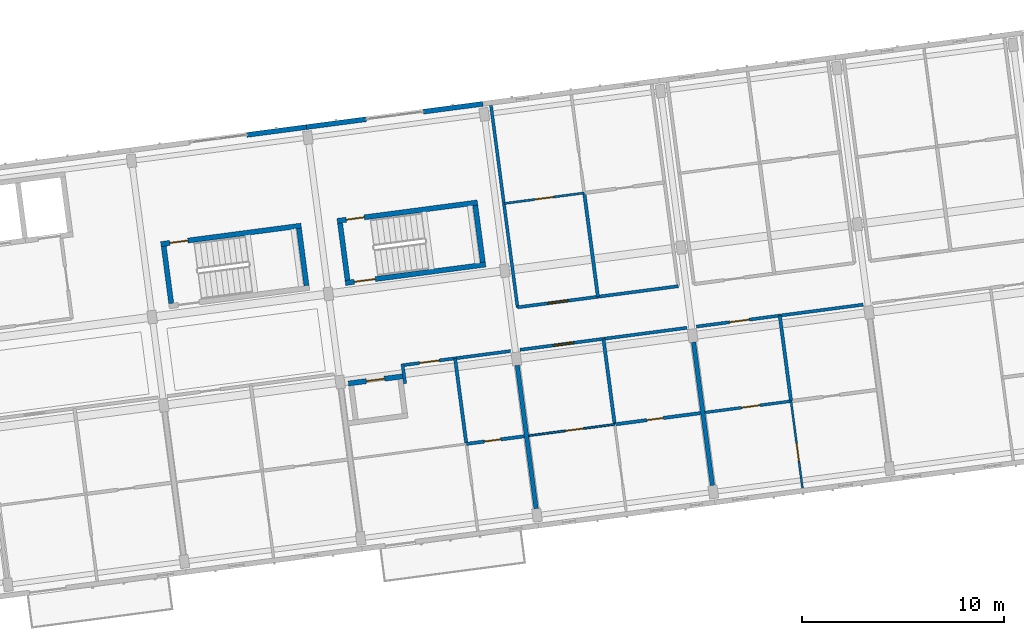
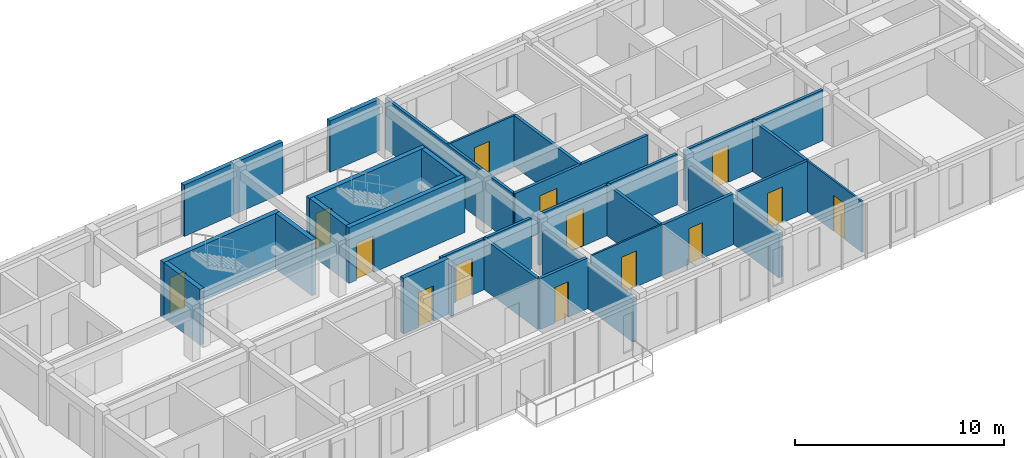
# One storey, part 13 of 34: 29 walls, 14 doors, 14 openings.
"""IFC4 building model written with IfcOpenShell, lengths in metres."""

import ifcopenshell
import ifcopenshell.guid

model = None  # the IFC model being written
_history = None  # IfcOwnerHistory: only IFC2X3 demands one
_inside = {}  # id of a spatial element -> (the spatial element, [elements in it])
_under = {}  # id of a project, library or spatial element -> (it, [spatial elements below it])
_declared = {}  # id of a project -> (the project, [libraries it declares])
_typed = {}  # id of a type object -> (the type object, [elements of that type])
_made_of = {}  # id of a material, layer set ... -> (it, [elements and type objects made of it])


def new_model(schema):
    """Start an empty IFC model of exactly this schema.

    Asked for "IFC4X3", IfcOpenShell would pick the latest addendum, in which some entities
    have other attributes; the version numbers below select the first issue.
    IFC2X3 requires an IfcOwnerHistory on every rooted entity: one is made here for all.
    """
    global model, _history
    if schema == "IFC4X3":
        model = ifcopenshell.file(schema_version=(4, 3, 0, 0))
    else:
        model = ifcopenshell.file(schema=schema)
    _inside.clear()
    _under.clear()
    _declared.clear()
    _typed.clear()
    _made_of.clear()
    _history = None
    if model.schema == "IFC2X3":
        org = make("IfcOrganization", Name="unknown")
        user = make(
            "IfcPersonAndOrganization",
            ThePerson=make("IfcPerson", FamilyName="unknown"),
            TheOrganization=org,
        )
        app = make(
            "IfcApplication",
            ApplicationDeveloper=org,
            Version="unknown",
            ApplicationFullName="unknown",
            ApplicationIdentifier="unknown",
        )
        _history = make(
            "IfcOwnerHistory",
            OwningUser=user,
            OwningApplication=app,
            ChangeAction="ADDED",
            CreationDate=0,
        )
    return model


def make(cls, **values):
    """One entity of the class cls with the attributes given. An attribute that is None is left unset."""
    return model.create_entity(
        cls, **{name: value for name, value in values.items() if value is not None}
    )


def rooted(cls, **values):
    """An entity with a GlobalId (a new one), such as an element, a storey or a relation."""
    return make(cls, GlobalId=ifcopenshell.guid.new(), OwnerHistory=_history, **values)


def si_unit(unit_type, name, prefix=None):
    """IfcSIUnit, for example si_unit("LENGTHUNIT", "METRE", prefix="MILLI")."""
    return make("IfcSIUnit", UnitType=unit_type, Prefix=prefix, Name=name)


def assignment(units):
    """IfcUnitAssignment: the units of a project."""
    return None if units is None else make("IfcUnitAssignment", Units=units)


def point(xyz):
    """IfcCartesianPoint."""
    return None if xyz is None else make("IfcCartesianPoint", Coordinates=xyz)


def direction(xyz):
    """IfcDirection."""
    return None if xyz is None else make("IfcDirection", DirectionRatios=xyz)


def frame(location, z_axis=None, x_axis=None):
    """IfcAxis2Placement3D, a coordinate frame: its origin and axes. An axis left out is left unset."""
    return make(
        "IfcAxis2Placement3D",
        Location=point(location),
        Axis=direction(z_axis),
        RefDirection=direction(x_axis),
    )


def frame_2d(location, x_axis=None):
    """IfcAxis2Placement2D, a coordinate frame in the plane: its origin and x axis."""
    return make(
        "IfcAxis2Placement2D", Location=point(location), RefDirection=direction(x_axis)
    )


def origin():
    """The frame at (0, 0, 0) with its axes left unset."""
    return frame((0.0, 0.0, 0.0))


def place(relative_to, where):
    """IfcLocalPlacement: puts the frame where relative to a parent placement (None: the world)."""
    return make(
        "IfcLocalPlacement", PlacementRelTo=relative_to, RelativePlacement=where
    )


def context(
    kind, dimensions, precision=None, world=None, true_north=None, identifier=None
):
    """IfcGeometricRepresentationContext, for example the 3D "Model" context."""
    return make(
        "IfcGeometricRepresentationContext",
        ContextIdentifier=identifier,
        ContextType=kind,
        CoordinateSpaceDimension=dimensions,
        Precision=precision,
        WorldCoordinateSystem=world,
        TrueNorth=true_north,
    )


def subcontext(parent, identifier, kind, view, scale=None):
    """IfcGeometricRepresentationSubContext, for example "Body" below "Model"."""
    return make(
        "IfcGeometricRepresentationSubContext",
        ContextIdentifier=identifier,
        ContextType=kind,
        ParentContext=parent,
        TargetScale=scale,
        TargetView=view,
    )


def project(units=None, contexts=None):
    """IfcProject with its units and contexts."""
    return rooted(
        "IfcProject",
        Name="project",
        RepresentationContexts=contexts,
        UnitsInContext=assignment(units),
    )


def spatial(cls, under=None, at=None, **own):
    """A site, building, storey or space (cls), placed at a placement, below another one or the project."""
    s = rooted(cls, ObjectPlacement=at, **own)
    if under is not None:
        _under.setdefault(under.id(), (under, []))[1].append(s)
    return s


def profile(cls, at=None, kind="AREA", **sizes):
    """A parametric profile (cls). Its sizes go by their IFC names, for example OverallWidth=200.0."""
    return make(cls, ProfileType=kind, Position=at, **sizes)


def rectangle(**sizes):
    """IfcRectangleProfileDef."""
    return profile("IfcRectangleProfileDef", **sizes)


def extrude(swept, where, along, depth):
    """IfcExtrudedAreaSolid: the profile swept, set in the frame where, extruded along a direction by depth."""
    return make(
        "IfcExtrudedAreaSolid",
        SweptArea=swept,
        Position=where,
        ExtrudedDirection=direction(along),
        Depth=depth,
    )


def shape(context_of_items, identifier, shape_type, items):
    """IfcShapeRepresentation: the items that make up one representation, for example the "Body"."""
    return make(
        "IfcShapeRepresentation",
        ContextOfItems=context_of_items,
        RepresentationIdentifier=identifier,
        RepresentationType=shape_type,
        Items=items,
    )


def material(Name=None, Category=None):
    """IfcMaterial."""
    return make("IfcMaterial", Name=Name, Category=Category)


def layer(
    of_material, thickness, ventilated=None, Name=None, Category=None, Priority=None
):
    """IfcMaterialLayer: one layer of a wall or slab, of a material (None: an air gap)."""
    return make(
        "IfcMaterialLayer",
        Material=of_material,
        LayerThickness=thickness,
        IsVentilated=ventilated,
        Name=Name,
        Category=Category,
        Priority=Priority,
    )


def layer_set(layers, Name=None):
    """IfcMaterialLayerSet."""
    return make("IfcMaterialLayerSet", MaterialLayers=layers, LayerSetName=Name)


def made_of(thing, what):
    """Note that an element or type object is made of a material, layer set ...; save() writes the relation."""
    if what is not None:
        _made_of.setdefault(what.id(), (what, []))[1].append(thing)
    return thing


def type_object(cls, material=None, **own):
    """A type object (cls), such as IfcWallType, which elements share."""
    return made_of(rooted(cls, **own), material)


def element(
    cls,
    number,
    at=None,
    inside=None,
    cuts=None,
    type_object=None,
    material=None,
    context=None,
    identifier="Body",
    shape_type=None,
    held_by="IfcProductDefinitionShape",
    body=None,
    shapes=None,
    **own,
):
    """One element of the class cls, such as IfcWall. Its Tag is "e" and its number.

    at: its placement. inside: the storey or other place that contains it. cuts: it is an
    opening in that element (IfcRelVoidsElement). A single representation is given by context,
    identifier, shape_type and body (its items); several are given by shapes. held_by: the class
    of the entity that holds the representations. save() writes the other relations.
    """
    e = rooted(cls, Tag="e%d" % number, ObjectPlacement=at, **own)
    if body is not None:
        shapes = [shape(context, identifier, shape_type, body)]
    if shapes is not None:
        e.Representation = make(held_by, Representations=shapes)
    if inside is not None:
        _inside.setdefault(inside.id(), (inside, []))[1].append(e)
    if cuts is not None:
        rooted(
            "IfcRelVoidsElement", RelatingBuildingElement=cuts, RelatedOpeningElement=e
        )
    if type_object is not None:
        _typed.setdefault(type_object.id(), (type_object, []))[1].append(e)
    return made_of(e, material)


def fill(opening, filler):
    """IfcRelFillsElement: the door or window that sits in an opening."""
    return rooted(
        "IfcRelFillsElement",
        RelatingOpeningElement=opening,
        RelatedBuildingElement=filler,
    )


def aggregate(whole, parts):
    """IfcRelAggregates: a whole, such as a stair, and the parts it consists of."""
    return rooted("IfcRelAggregates", RelatingObject=whole, RelatedObjects=parts)


def save(model, path):
    """Write the relations noted so far, then the file.

    IfcRelAggregates (storeys below a building ...), IfcRelContainedInSpatialStructure (elements
    in a storey), IfcRelDefinesByType, IfcRelAssociatesMaterial and IfcRelDeclares: one each for
    every whole, place, type object, material and project.
    """
    for whole, parts in _under.values():
        aggregate(whole, parts)
    for where, things in _inside.values():
        rooted(
            "IfcRelContainedInSpatialStructure",
            RelatedElements=things,
            RelatingStructure=where,
        )
    for kind, things in _typed.values():
        rooted("IfcRelDefinesByType", RelatedObjects=things, RelatingType=kind)
    for what, things in _made_of.values():
        rooted("IfcRelAssociatesMaterial", RelatedObjects=things, RelatingMaterial=what)
    for by, libraries in _declared.values():
        rooted("IfcRelDeclares", RelatingContext=by, RelatedDefinitions=libraries)
    model.write(path)


model = new_model("IFC4")

# Units and contexts
model_context = context("Model", 3, precision=1e-05, world=origin(), true_north=direction((0.0, 1.0)))
body_context = subcontext(model_context, "Body", "Model", "MODEL_VIEW")
ifc_project = project(units=[si_unit("LENGTHUNIT", "METRE"), si_unit("AREAUNIT", "SQUARE_METRE"), si_unit("VOLUMEUNIT", "CUBIC_METRE"), si_unit("PLANEANGLEUNIT", "RADIAN"), si_unit("MASSUNIT", "GRAM", prefix="KILO")], contexts=[model_context])

# Site, building, storey
site_placement = place(None, origin())
site = spatial("IfcSite", under=ifc_project, at=site_placement, CompositionType="ELEMENT")
building_placement = place(site_placement, origin())
building = spatial("IfcBuilding", under=site, at=building_placement, Name="Kestramere Prow Commons", CompositionType="ELEMENT")
storey_placement = place(building_placement, frame((0.0, 0.0, 34.39990234375)))
storey = spatial("IfcBuildingStorey", under=building, at=storey_placement, Name="L10", CompositionType="ELEMENT", Elevation=34.39990234375)

# Walls
ifc_material_1 = material(Name="Fluoropolymer Standing-Seam Zinc-Aluminium Cladding", Category="aluminium")
ifc_layer_1 = layer(ifc_material_1, 0.239990234375)
ifc_layer_set_1 = layer_set([ifc_layer_1], Name="Fluoropolymer Standing-Seam Zinc-Aluminium Cladding")
wall_type_1 = type_object("IfcWallType", Name="EW-SEAM-240", PredefinedType="SOLIDWALL", material=ifc_layer_set_1)
wall_1_placement = place(storey_placement, frame((23.020751953125, 94.25830078125, 0.0), z_axis=(0.0, 0.0, 1.0), x_axis=(0.991440883744, 0.130556401758, 0.0)))
element("IfcWall", 1, at=wall_1_placement, inside=storey, type_object=wall_type_1, Name="Block A L10 North Standing-Seam Pier 2R", PredefinedType="SOLIDWALL", context=body_context, shape_type="SweptSolid", body=[
    extrude(rectangle(XDim=2.97509765625, YDim=0.239990234375, at=frame_2d((1.487548828125, 0.0))), origin(), (0.0, 0.0, 1.0), 3.0),
])
for number, where, z_axis, x_axis, name in (
    (2, (25.970458984375, 94.646728515625, 0.0), (0.0, 0.0, 1.0), (0.991450105095, 0.130486356022, 0.0), "Block A L10 North Standing-Seam Pier 3L"),
    (3, (31.74560546875, 95.406982421875, 0.0), (0.0, 0.0, 1.0), (0.991439484875, 0.130567024289, 0.0), "Block A L10 North Standing-Seam Pier 3R"),
):
    element("IfcWall", number, at=place(storey_placement, frame(where, z_axis=z_axis, x_axis=x_axis)), inside=storey, type_object=wall_type_1, Name=name, PredefinedType="SOLIDWALL", context=body_context, shape_type="SweptSolid", body=[
        extrude(rectangle(XDim=2.974853515625, YDim=0.239990234375, at=frame_2d((1.4873046875, 0.0))), origin(), (0.0, 0.0, 1.0), 3.0),
    ])

# Wall, opening, door
ifc_material_2 = material(Name="Concrete C40/50", Category="concrete")
ifc_layer_2 = layer(ifc_material_2, 0.25)
ifc_layer_set_2 = layer_set([ifc_layer_2], Name="Concrete C40/50")
wall_type_2 = type_object("IfcWallType", Name="W-CORE-250", PredefinedType="SHEAR", material=ifc_layer_set_2)
wall_2_placement = place(storey_placement, frame((18.764404296875, 88.856689453125, 0.0), z_axis=(0.0, 0.0, 1.0), x_axis=(0.991447052715, 0.13050954625, 0.0)))
wall_2 = element("IfcWall", 4, at=wall_2_placement, inside=storey, type_object=wall_type_2, Name="ST-A1 L10 North Shaft Wall", PredefinedType="SHEAR", context=body_context, shape_type="SweptSolid", body=[
    extrude(rectangle(XDim=7.0, YDim=0.25, at=frame_2d((3.5, 0.0))), origin(), (0.0, 0.0, 1.0), 3.25),
])
opening_1_placement = place(wall_2_placement, frame((0.449951171875, 0.0, 0.0)))
opening_1 = element("IfcOpeningElement", 5, at=opening_1_placement, cuts=wall_2, Name="Opening ID-08", PredefinedType="OPENING", context=body_context, shape_type="SweptSolid", body=[
    extrude(rectangle(XDim=0.89990234375, YDim=2.10009765625, at=frame_2d((0.449951171875, 1.050048828125))), frame((0.0, 0.139892578125, 0.0), z_axis=(0.0, -1.0, 0.0), x_axis=(1.0, 0.0, 0.0)), (0.0, 0.0, 1.0), 0.280029296875),
])
ifc_material_3 = material(Name="Engineered Timber Flush Door", Category="wood")
door_type_1 = type_object("IfcDoorType", Name="D-RM-01", OperationType="NOTDEFINED", PredefinedType="DOOR", material=ifc_material_3)
door_1_placement = place(opening_1_placement, origin())
door_1 = element("IfcDoor", 6, at=door_1_placement, inside=storey, type_object=door_type_1, Name="ST-A1 L10 North Room Door", OperationType="SINGLE_SWING_RIGHT", OverallHeight=2.10009765625, OverallWidth=0.89990234375, PredefinedType="DOOR", context=body_context, shape_type="SweptSolid", body=[
    extrude(rectangle(XDim=0.89990234375, YDim=2.10009765625, at=frame_2d((0.449951171875, 1.050048828125))), frame((0.0, 0.02490234375, 0.0), z_axis=(0.0, -1.0, 0.0), x_axis=(1.0, 0.0, 0.0)), (0.0, 0.0, 1.0), 0.050048828125),
])
fill(opening_1, door_1)

# Walls
for number, where, z_axis, x_axis, name in (
    (7, (19.27685546875, 85.92333984375, 0.0), (0.0, 0.0, 1.0), (-0.130547578832, 0.991442045538, 0.0), "ST-A1 L10 Near Shaft Wall"),
    (8, (25.968994140625, 86.804443359375, 0.0), (0.0, 0.0, 1.0), (-0.130547578832, 0.991442045538, 0.0), "ST-A1 L10 Far Shaft Wall"),
):
    element("IfcWall", number, at=place(storey_placement, frame(where, z_axis=z_axis, x_axis=x_axis)), inside=storey, type_object=wall_type_2, Name=name, PredefinedType="SHEAR", context=body_context, shape_type="SweptSolid", body=[
        extrude(rectangle(XDim=2.85009765625, YDim=0.25, at=frame_2d((1.425048828125, 0.0))), origin(), (0.0, 0.0, 1.0), 3.25),
    ])

# Wall, opening, door
wall_3_placement = place(storey_placement, frame((27.4892578125, 90.005126953125, 0.0), z_axis=(0.0, 0.0, 1.0), x_axis=(0.991441944909, 0.130548343059, 0.0)))
wall_3 = element("IfcWall", 9, at=wall_3_placement, inside=storey, type_object=wall_type_2, Name="ST-A2 L10 North Shaft Wall", PredefinedType="SHEAR", context=body_context, shape_type="SweptSolid", body=[
    extrude(rectangle(XDim=6.999755859375, YDim=0.25, at=frame_2d((3.5, 0.0))), origin(), (0.0, 0.0, 1.0), 3.25),
])
opening_2_placement = place(wall_3_placement, frame((0.449951171875, 0.0, 0.0)))
opening_2 = element("IfcOpeningElement", 10, at=opening_2_placement, cuts=wall_3, Name="Opening ID-08", PredefinedType="OPENING", context=body_context, shape_type="SweptSolid", body=[
    extrude(rectangle(XDim=0.89990234375, YDim=2.10009765625, at=frame_2d((0.449951171875, 1.050048828125))), frame((0.0, 0.139892578125, 0.0), z_axis=(0.0, -1.0, 0.0), x_axis=(1.0, 0.0, 0.0)), (0.0, 0.0, 1.0), 0.280029296875),
])
door_2_placement = place(opening_2_placement, origin())
door_2 = element("IfcDoor", 11, at=door_2_placement, inside=storey, type_object=door_type_1, Name="ST-A2 L10 North Room Door", OperationType="SINGLE_SWING_RIGHT", OverallHeight=2.10009765625, OverallWidth=0.89990234375, PredefinedType="DOOR", context=body_context, shape_type="SweptSolid", body=[
    extrude(rectangle(XDim=0.89990234375, YDim=2.10009765625, at=frame_2d((0.449951171875, 1.050048828125))), frame((0.0, 0.02490234375, 0.0), z_axis=(0.0, -1.0, 0.0), x_axis=(1.0, 0.0, 0.0)), (0.0, 0.0, 1.0), 0.050048828125),
])
fill(opening_2, door_2)

wall_4_placement = place(storey_placement, frame((27.893798828125, 86.931640625, 0.0), z_axis=(0.0, 0.0, 1.0), x_axis=(0.991442539299, 0.130543828916, 0.0)))
wall_4 = element("IfcWall", 12, at=wall_4_placement, inside=storey, type_object=wall_type_2, Name="ST-A2 L10 Corridor Shaft Wall", PredefinedType="SHEAR", context=body_context, shape_type="SweptSolid", body=[
    extrude(rectangle(XDim=7.0, YDim=0.25, at=frame_2d((3.5, 0.0))), origin(), (0.0, 0.0, 1.0), 3.25),
])
opening_3_placement = place(wall_4_placement, frame((0.449951171875, 0.0, 0.0)))
opening_3 = element("IfcOpeningElement", 13, at=opening_3_placement, cuts=wall_4, Name="Opening ID-01", PredefinedType="OPENING", context=body_context, shape_type="SweptSolid", body=[
    extrude(rectangle(XDim=1.050048828125, YDim=2.14990234375, at=frame_2d((0.52490234375, 1.074951171875))), frame((0.0, 0.139892578125, 0.0), z_axis=(0.0, -1.0, 0.0), x_axis=(1.0, 0.0, 0.0)), (0.0, 0.0, 1.0), 0.280029296875),
])
ifc_material_4 = material(Name="Fire-Rated Timber and Steel Frame", Category="steel")
door_type_2 = type_object("IfcDoorType", Name="FD-ST-01", OperationType="NOTDEFINED", PredefinedType="DOOR", material=ifc_material_4)
door_3_placement = place(opening_3_placement, origin())
door_3 = element("IfcDoor", 14, at=door_3_placement, inside=storey, type_object=door_type_2, Name="ST-A2 L10 Protected Stair Door", OperationType="SINGLE_SWING_LEFT", OverallHeight=2.14990234375, OverallWidth=1.050048828125, PredefinedType="DOOR", context=body_context, shape_type="SweptSolid", body=[
    extrude(rectangle(XDim=1.050048828125, YDim=2.14990234375, at=frame_2d((0.52490234375, 1.074951171875))), frame((0.0, 0.02490234375, 0.0), z_axis=(0.0, -1.0, 0.0), x_axis=(1.0, 0.0, 0.0)), (0.0, 0.0, 1.0), 0.050048828125),
])
fill(opening_3, door_3)

# Walls
wall_5_placement = place(storey_placement, frame((28.00146484375, 87.072021484375, 0.0), z_axis=(0.0, 0.0, 1.0), x_axis=(-0.130547578832, 0.991442045538, 0.0)))
element("IfcWall", 15, at=wall_5_placement, inside=storey, type_object=wall_type_2, Name="ST-A2 L10 Near Shaft Wall", PredefinedType="SHEAR", context=body_context, shape_type="SweptSolid", body=[
    extrude(rectangle(XDim=2.85009765625, YDim=0.25, at=frame_2d((1.425048828125, 0.0))), origin(), (0.0, 0.0, 1.0), 3.25),
])
wall_6_placement = place(storey_placement, frame((34.693603515625, 87.953125, 0.0), z_axis=(0.0, 0.0, 1.0), x_axis=(-0.130474457355, 0.991451671025, 0.0)))
element("IfcWall", 16, at=wall_6_placement, inside=storey, type_object=wall_type_2, Name="ST-A2 L10 Far Shaft Wall", PredefinedType="SHEAR", context=body_context, shape_type="SweptSolid", body=[
    extrude(rectangle(XDim=2.849853515625, YDim=0.25, at=frame_2d((1.4248046875, 0.0))), origin(), (0.0, 0.0, 1.0), 3.25),
])
ifc_material_5 = material(Name="Fire-Rated Calcium Silicate Wall")
ifc_layer_3 = layer(ifc_material_5, 0.155029296875)
ifc_layer_set_3 = layer_set([ifc_layer_3], Name="Fire-Rated Calcium Silicate Wall")
wall_type_3 = type_object("IfcWallType", Name="W-FIRE-150", PredefinedType="PARTITIONING", material=ifc_layer_set_3)
wall_7_placement = place(storey_placement, frame((30.849365234375, 81.949951171875, 0.0), z_axis=(0.0, 0.0, 1.0), x_axis=(-0.13055608231, 0.99144092581, 0.0)))
element("IfcWall", 17, at=wall_7_placement, inside=storey, type_object=wall_type_3, Name="Interior Partition PW-A-L10-HS-CLOSER", PredefinedType="PARTITIONING", context=body_context, shape_type="SweptSolid", body=[
    extrude(rectangle(XDim=0.994873046875, YDim=0.155029296875, at=frame_2d((0.49755859375, 0.0))), origin(), (0.0, 0.0, 1.0), 2.97021484375),
])

# Wall, opening, door
wall_8_placement = place(storey_placement, frame((30.80859375, 82.87255859375, 0.0), z_axis=(0.0, 0.0, 1.0), x_axis=(0.991445991454, 0.130517608122, 0.0)))
wall_8 = element("IfcWall", 18, at=wall_8_placement, inside=storey, type_object=wall_type_3, Name="Interior Partition PW-A-L10-CS-2", PredefinedType="PARTITIONING", context=body_context, shape_type="SweptSolid", body=[
    extrude(rectangle(XDim=5.304931640625, YDim=0.155029296875, at=frame_2d((2.65234375, 0.0))), origin(), (0.0, 0.0, 1.0), 2.97021484375),
])
opening_4_placement = place(wall_8_placement, frame((0.758056640625, 0.0, 0.0)))
opening_4 = element("IfcOpeningElement", 19, at=opening_4_placement, cuts=wall_8, Name="Opening ID-04", PredefinedType="OPENING", context=body_context, shape_type="SweptSolid", body=[
    extrude(rectangle(XDim=0.97998046875, YDim=2.14990234375, at=frame_2d((0.489990234375, 1.074951171875))), frame((0.0, 0.092529296875, 0.0), z_axis=(0.0, -1.0, 0.0), x_axis=(1.0, 0.0, 0.0)), (0.0, 0.0, 1.0), 0.18505859375),
])
ifc_material_6 = material(Name="Hardwood Fire-Rated Flat Entrance Door", Category="wood")
door_type_3 = type_object("IfcDoorType", Name="FD-ENT-01", OperationType="NOTDEFINED", PredefinedType="DOOR", material=ifc_material_6)
door_4_placement = place(opening_4_placement, origin())
door_4 = element("IfcDoor", 20, at=door_4_placement, inside=storey, type_object=door_type_3, Name="Interior Door DR-A-L10-ENT-S2", OperationType="SINGLE_SWING_LEFT", OverallHeight=2.14990234375, OverallWidth=0.97998046875, PredefinedType="DOOR", context=body_context, shape_type="SweptSolid", body=[
    extrude(rectangle(XDim=0.97998046875, YDim=2.14990234375, at=frame_2d((0.489990234375, 1.074951171875))), frame((0.0, 0.02490234375, 0.0), z_axis=(0.0, -1.0, 0.0), x_axis=(1.0, 0.0, 0.0)), (0.0, 0.0, 1.0), 0.050048828125),
])
fill(opening_4, door_4)

wall_9_placement = place(storey_placement, frame((36.5341796875, 83.626220703125, 0.0), z_axis=(0.0, 0.0, 1.0), x_axis=(0.991443119217, 0.13053942453, 0.0)))
wall_9 = element("IfcWall", 21, at=wall_9_placement, inside=storey, type_object=wall_type_3, Name="Interior Partition PW-A-L10-CS-3", PredefinedType="PARTITIONING", context=body_context, shape_type="SweptSolid", body=[
    extrude(rectangle(XDim=8.330078125, YDim=0.155029296875, at=frame_2d((4.1650390625, 0.0))), origin(), (0.0, 0.0, 1.0), 2.97021484375),
])
opening_5_placement = place(wall_9_placement, frame((1.655029296875, 0.0, 0.0)))
opening_5 = element("IfcOpeningElement", 22, at=opening_5_placement, cuts=wall_9, Name="Opening ID-05", PredefinedType="OPENING", context=body_context, shape_type="SweptSolid", body=[
    extrude(rectangle(XDim=1.02001953125, YDim=2.199951171875, at=frame_2d((0.510009765625, 1.10009765625))), frame((0.0, 0.092529296875, 0.0), z_axis=(0.0, -1.0, 0.0), x_axis=(1.0, 0.0, 0.0)), (0.0, 0.0, 1.0), 0.18505859375),
])
door_type_4 = type_object("IfcDoorType", Name="FD-ENT-02", OperationType="NOTDEFINED", PredefinedType="DOOR", material=ifc_material_6)
door_5_placement = place(opening_5_placement, origin())
door_5 = element("IfcDoor", 23, at=door_5_placement, inside=storey, type_object=door_type_4, Name="Interior Door DR-A-L10-ENT-S3", OperationType="SINGLE_SWING_RIGHT", OverallHeight=2.199951171875, OverallWidth=1.02001953125, PredefinedType="DOOR", context=body_context, shape_type="SweptSolid", body=[
    extrude(rectangle(XDim=1.02001953125, YDim=2.199951171875, at=frame_2d((0.510009765625, 1.10009765625))), frame((0.0, 0.02490234375, 0.0), z_axis=(0.0, -1.0, 0.0), x_axis=(1.0, 0.0, 0.0)), (0.0, 0.0, 1.0), 0.050048828125),
])
fill(opening_5, door_5)

wall_10_placement = place(storey_placement, frame((45.259033203125, 84.77490234375, 0.0), z_axis=(0.0, 0.0, 1.0), x_axis=(0.991446412738, 0.130514407897, 0.0)))
wall_10 = element("IfcWall", 24, at=wall_10_placement, inside=storey, type_object=wall_type_3, Name="Interior Partition PW-A-L10-CS-4", PredefinedType="PARTITIONING", context=body_context, shape_type="SweptSolid", body=[
    extrude(rectangle(XDim=8.329833984375, YDim=0.155029296875, at=frame_2d((4.1650390625, 0.0))), origin(), (0.0, 0.0, 1.0), 2.97021484375),
])
opening_6_placement = place(wall_10_placement, frame((1.655029296875, 0.0, 0.0)))
opening_6 = element("IfcOpeningElement", 25, at=opening_6_placement, cuts=wall_10, Name="Opening ID-04", PredefinedType="OPENING", context=body_context, shape_type="SweptSolid", body=[
    extrude(rectangle(XDim=0.97998046875, YDim=2.14990234375, at=frame_2d((0.489990234375, 1.074951171875))), frame((0.0, 0.092529296875, 0.0), z_axis=(0.0, -1.0, 0.0), x_axis=(1.0, 0.0, 0.0)), (0.0, 0.0, 1.0), 0.18505859375),
])
door_6_placement = place(opening_6_placement, origin())
door_6 = element("IfcDoor", 26, at=door_6_placement, inside=storey, type_object=door_type_3, Name="Interior Door DR-A-L10-ENT-S4", OperationType="SINGLE_SWING_LEFT", OverallHeight=2.14990234375, OverallWidth=0.97998046875, PredefinedType="DOOR", context=body_context, shape_type="SweptSolid", body=[
    extrude(rectangle(XDim=0.97998046875, YDim=2.14990234375, at=frame_2d((0.489990234375, 1.074951171875))), frame((0.0, 0.02490234375, 0.0), z_axis=(0.0, -1.0, 0.0), x_axis=(1.0, 0.0, 0.0)), (0.0, 0.0, 1.0), 0.050048828125),
])
fill(opening_6, door_6)

wall_11_placement = place(storey_placement, frame((36.413818359375, 85.728515625, 0.0), z_axis=(0.0, 0.0, 1.0), x_axis=(0.991444034844, 0.130532470184, 0.0)))
wall_11 = element("IfcWall", 27, at=wall_11_placement, inside=storey, type_object=wall_type_3, Name="Interior Partition PW-A-L10-CN-3", PredefinedType="PARTITIONING", context=body_context, shape_type="SweptSolid", body=[
    extrude(rectangle(XDim=8.02001953125, YDim=0.155029296875, at=frame_2d((4.010009765625, 0.0))), origin(), (0.0, 0.0, 1.0), 2.97021484375),
])
opening_7_placement = place(wall_11_placement, frame((1.5048828125, 0.0, 0.0)))
opening_7 = element("IfcOpeningElement", 28, at=opening_7_placement, cuts=wall_11, Name="Opening ID-05", PredefinedType="OPENING", context=body_context, shape_type="SweptSolid", body=[
    extrude(rectangle(XDim=1.02001953125, YDim=2.199951171875, at=frame_2d((0.510009765625, 1.10009765625))), frame((0.0, 0.092529296875, 0.0), z_axis=(0.0, -1.0, 0.0), x_axis=(1.0, 0.0, 0.0)), (0.0, 0.0, 1.0), 0.18505859375),
])
door_7_placement = place(opening_7_placement, origin())
door_7 = element("IfcDoor", 29, at=door_7_placement, inside=storey, type_object=door_type_4, Name="Interior Door DR-A-L10-ENT-N3", OperationType="SINGLE_SWING_RIGHT", OverallHeight=2.199951171875, OverallWidth=1.02001953125, PredefinedType="DOOR", context=body_context, shape_type="SweptSolid", body=[
    extrude(rectangle(XDim=1.02001953125, YDim=2.199951171875, at=frame_2d((0.510009765625, 1.10009765625))), frame((0.0, 0.02490234375, 0.0), z_axis=(0.0, -1.0, 0.0), x_axis=(1.0, 0.0, 0.0)), (0.0, 0.0, 1.0), 0.050048828125),
])
fill(opening_7, door_7)

ifc_layer_4 = layer(ifc_material_2, 0.25)
ifc_layer_set_4 = layer_set([ifc_layer_4], Name="Concrete C40/50")
wall_type_4 = type_object("IfcWallType", Name="W-HS-250", PredefinedType="SHEAR", material=ifc_layer_set_4)
wall_12_placement = place(storey_placement, frame((28.044189453125, 81.958740234375, 0.0), z_axis=(0.0, 0.0, 1.0), x_axis=(0.991439824936, 0.130564442062, 0.0)))
wall_12 = element("IfcWall", 30, at=wall_12_placement, inside=storey, type_object=wall_type_4, Name="Block A L10 Household Shelter North Wall", PredefinedType="SHEAR", context=body_context, shape_type="SweptSolid", body=[
    extrude(rectangle(XDim=2.7001953125, YDim=0.25, at=frame_2d((1.35009765625, 0.0))), origin(), (0.0, 0.0, 1.0), 3.25),
])
opening_8_placement = place(wall_12_placement, frame((0.89990234375, 0.0, 0.0)))
opening_8 = element("IfcOpeningElement", 31, at=opening_8_placement, cuts=wall_12, Name="Opening ID-06", PredefinedType="OPENING", context=body_context, shape_type="SweptSolid", body=[
    extrude(rectangle(XDim=0.89990234375, YDim=2.050048828125, at=frame_2d((0.449951171875, 1.02490234375))), frame((0.0, 0.139892578125, 0.0), z_axis=(0.0, -1.0, 0.0), x_axis=(1.0, 0.0, 0.0)), (0.0, 0.0, 1.0), 0.280029296875),
])
ifc_material_7 = material(Name="Galvanised Steel S275JR Household Shelter Door", Category="steel")
door_type_5 = type_object("IfcDoorType", Name="FD-HS-01", OperationType="NOTDEFINED", PredefinedType="DOOR", material=ifc_material_7)
door_8_placement = place(opening_8_placement, origin())
door_8 = element("IfcDoor", 32, at=door_8_placement, inside=storey, type_object=door_type_5, Name="Block A L10 Household Shelter Blast Door", OperationType="SINGLE_SWING_RIGHT", OverallHeight=2.050048828125, OverallWidth=0.89990234375, PredefinedType="DOOR", context=body_context, shape_type="SweptSolid", body=[
    extrude(rectangle(XDim=0.89990234375, YDim=2.050048828125, at=frame_2d((0.449951171875, 1.02490234375))), frame((0.0, 0.02490234375, 0.0), z_axis=(0.0, -1.0, 0.0), x_axis=(1.0, 0.0, 0.0)), (0.0, 0.0, 1.0), 0.050048828125),
])
fill(opening_8, door_8)

ifc_material_8 = material(Name="Gypsum Acoustic Drywall")
ifc_layer_5 = layer(ifc_material_8, 0.10009765625)
ifc_layer_set_5 = layer_set([ifc_layer_5], Name="Gypsum Acoustic Drywall")
wall_type_5 = type_object("IfcWallType", Name="W-PART-100", PredefinedType="PARTITIONING", material=ifc_layer_set_5)
wall_13_placement = place(storey_placement, frame((50.51220703125, 76.7822265625, 0.0), z_axis=(0.0, 0.0, 1.0), x_axis=(-0.130568017521, 0.991439354071, 0.0)))
wall_13 = element("IfcWall", 33, at=wall_13_placement, inside=storey, type_object=wall_type_5, Name="Interior Partition PW-A-L10-LB-S4", PredefinedType="PARTITIONING", context=body_context, shape_type="SweptSolid", body=[
    extrude(rectangle(XDim=4.33984375, YDim=0.10009765625, at=frame_2d((2.169921875, 0.0))), origin(), (0.0, 0.0, 1.0), 2.97021484375),
])
opening_9_placement = place(wall_13_placement, frame((1.35009765625, 0.0, 0.0)))
opening_9 = element("IfcOpeningElement", 34, at=opening_9_placement, cuts=wall_13, Name="Opening ID-10", PredefinedType="OPENING", context=body_context, shape_type="SweptSolid", body=[
    extrude(rectangle(XDim=0.8798828125, YDim=2.10009765625, at=frame_2d((0.43994140625, 1.050048828125))), frame((0.0, 0.06494140625, 0.0), z_axis=(0.0, -1.0, 0.0), x_axis=(1.0, 0.0, 0.0)), (0.0, 0.0, 1.0), 0.130126953125),
])
ifc_material_9 = material(Name="Engineered Timber Bedroom Door", Category="wood")
door_type_6 = type_object("IfcDoorType", Name="D-RM-03", OperationType="NOTDEFINED", PredefinedType="DOOR", material=ifc_material_9)
door_9_placement = place(opening_9_placement, origin())
door_9 = element("IfcDoor", 35, at=door_9_placement, inside=storey, type_object=door_type_6, Name="Interior Door DR-A-L10-BED-S4", OperationType="SINGLE_SWING_LEFT", OverallHeight=2.10009765625, OverallWidth=0.8798828125, PredefinedType="DOOR", context=body_context, shape_type="SweptSolid", body=[
    extrude(rectangle(XDim=0.8798828125, YDim=2.10009765625, at=frame_2d((0.43994140625, 1.050048828125))), frame((0.0, 0.02490234375, 0.0), z_axis=(0.0, -1.0, 0.0), x_axis=(1.0, 0.0, 0.0)), (0.0, 0.0, 1.0), 0.050048828125),
])
fill(opening_9, door_9)

ifc_layer_6 = layer(ifc_material_8, 0.110107421875)
ifc_layer_set_6 = layer_set([ifc_layer_6], Name="Gypsum Acoustic Drywall")
wall_type_6 = type_object("IfcWallType", Name="W-PART-110", PredefinedType="PARTITIONING", material=ifc_layer_set_6)
wall_14_placement = place(storey_placement, frame((35.737548828125, 90.8642578125, 0.0), z_axis=(0.0, 0.0, 1.0), x_axis=(0.991444553502, 0.130528530716, 0.0)))
wall_14 = element("IfcWall", 36, at=wall_14_placement, inside=storey, type_object=wall_type_6, Name="Interior Partition PW-A-L10-MIDN1-3", PredefinedType="PARTITIONING", context=body_context, shape_type="SweptSolid", body=[
    extrude(rectangle(XDim=4.01025390625, YDim=0.110107421875, at=frame_2d((2.005126953125, 0.0))), origin(), (0.0, 0.0, 1.0), 2.97021484375),
])
opening_10_placement = place(wall_14_placement, frame((1.554931640625, 0.0, 0.0)))
opening_10 = element("IfcOpeningElement", 37, at=opening_10_placement, cuts=wall_14, Name="Opening ID-08", PredefinedType="OPENING", context=body_context, shape_type="SweptSolid", body=[
    extrude(rectangle(XDim=0.89990234375, YDim=2.10009765625, at=frame_2d((0.449951171875, 1.050048828125))), frame((0.0, 0.070068359375, 0.0), z_axis=(0.0, -1.0, 0.0), x_axis=(1.0, 0.0, 0.0)), (0.0, 0.0, 1.0), 0.14013671875),
])
door_10_placement = place(opening_10_placement, origin())
door_10 = element("IfcDoor", 38, at=door_10_placement, inside=storey, type_object=door_type_1, Name="Interior Door DR-A-L10-KL-N3", OperationType="SINGLE_SWING_LEFT", OverallHeight=2.10009765625, OverallWidth=0.89990234375, PredefinedType="DOOR", context=body_context, shape_type="SweptSolid", body=[
    extrude(rectangle(XDim=0.89990234375, YDim=2.10009765625, at=frame_2d((0.449951171875, 1.050048828125))), frame((0.0, 0.02490234375, 0.0), z_axis=(0.0, -1.0, 0.0), x_axis=(1.0, 0.0, 0.0)), (0.0, 0.0, 1.0), 0.050048828125),
])
fill(opening_10, door_10)

ifc_material_10 = material(Name="Masonry Compartment Wall", Category="masonry")
ifc_layer_7 = layer(ifc_material_10, 0.139892578125)
ifc_layer_set_7 = layer_set([ifc_layer_7], Name="Masonry Compartment Wall")
wall_type_7 = type_object("IfcWallType", Name="W-PART-140", PredefinedType="PARTITIONING", material=ifc_layer_set_7)
wall_15_placement = place(storey_placement, frame((45.697265625, 80.525634765625, 0.0), z_axis=(0.0, 0.0, 1.0), x_axis=(0.991444014242, 0.130532626667, 0.0)))
wall_15 = element("IfcWall", 39, at=wall_15_placement, inside=storey, type_object=wall_type_7, Name="Interior Partition PW-A-L10-MIDS1-4", PredefinedType="PARTITIONING", context=body_context, shape_type="SweptSolid", body=[
    extrude(rectangle(XDim=4.284912109375, YDim=0.139892578125, at=frame_2d((2.142578125, 0.0))), origin(), (0.0, 0.0, 1.0), 2.97021484375),
])
opening_11_placement = place(wall_15_placement, frame((1.824951171875, 0.0, 0.0)))
opening_11 = element("IfcOpeningElement", 40, at=opening_11_placement, cuts=wall_15, Name="Opening ID-08", PredefinedType="OPENING", context=body_context, shape_type="SweptSolid", body=[
    extrude(rectangle(XDim=0.89990234375, YDim=2.10009765625, at=frame_2d((0.449951171875, 1.050048828125))), frame((0.0, 0.0849609375, 0.0), z_axis=(0.0, -1.0, 0.0), x_axis=(1.0, 0.0, 0.0)), (0.0, 0.0, 1.0), 0.169921875),
])
door_11_placement = place(opening_11_placement, origin())
door_11 = element("IfcDoor", 41, at=door_11_placement, inside=storey, type_object=door_type_1, Name="Interior Door DR-A-L10-KL-S4", OperationType="SINGLE_SWING_RIGHT", OverallHeight=2.10009765625, OverallWidth=0.89990234375, PredefinedType="DOOR", context=body_context, shape_type="SweptSolid", body=[
    extrude(rectangle(XDim=0.89990234375, YDim=2.10009765625, at=frame_2d((0.449951171875, 1.050048828125))), frame((0.0, 0.02490234375, 0.0), z_axis=(0.0, -1.0, 0.0), x_axis=(1.0, 0.0, 0.0)), (0.0, 0.0, 1.0), 0.050048828125),
])
fill(opening_11, door_11)

# Wall
ifc_layer_8 = layer(ifc_material_10, 0.14990234375)
ifc_layer_set_8 = layer_set([ifc_layer_8], Name="Masonry Compartment Wall")
wall_type_8 = type_object("IfcWallType", Name="W-PART-150", PredefinedType="PARTITIONING", material=ifc_layer_set_8)
wall_16_placement = place(storey_placement, frame((36.413818359375, 85.728515625, 0.0), z_axis=(0.0, 0.0, 1.0), x_axis=(-0.130531024319, 0.991444225204, 0.0)))
element("IfcWall", 42, at=wall_16_placement, inside=storey, type_object=wall_type_8, Name="Interior Partition PW-A-L10-NWL-3", PredefinedType="PARTITIONING", context=body_context, shape_type="SweptSolid", body=[
    extrude(rectangle(XDim=10.070068359375, YDim=0.14990234375, at=frame_2d((5.03515625, 0.0))), origin(), (0.0, 0.0, 1.0), 2.97021484375),
])

# Wall, opening, door
ifc_layer_9 = layer(ifc_material_8, 0.094970703125)
ifc_layer_set_9 = layer_set([ifc_layer_9], Name="Gypsum Acoustic Drywall")
wall_type_9 = type_object("IfcWallType", Name="W-PART-95", PredefinedType="PARTITIONING", material=ifc_layer_set_9)
wall_17_placement = place(storey_placement, frame((36.97265625, 79.377197265625, 0.0), z_axis=(0.0, 0.0, 1.0), x_axis=(0.991444014242, 0.130532626667, 0.0)))
wall_17 = element("IfcWall", 43, at=wall_17_placement, inside=storey, type_object=wall_type_9, Name="Interior Partition PW-A-L10-MIDS1-3", PredefinedType="PARTITIONING", context=body_context, shape_type="SweptSolid", body=[
    extrude(rectangle(XDim=4.284912109375, YDim=0.094970703125, at=frame_2d((2.142578125, 0.0))), origin(), (0.0, 0.0, 1.0), 2.97021484375),
])
opening_12_placement = place(wall_17_placement, frame((1.824951171875, 0.0, 0.0)))
opening_12 = element("IfcOpeningElement", 44, at=opening_12_placement, cuts=wall_17, Name="Opening ID-08", PredefinedType="OPENING", context=body_context, shape_type="SweptSolid", body=[
    extrude(rectangle(XDim=0.89990234375, YDim=2.10009765625, at=frame_2d((0.449951171875, 1.050048828125))), frame((0.0, 0.0625, 0.0), z_axis=(0.0, -1.0, 0.0), x_axis=(1.0, 0.0, 0.0)), (0.0, 0.0, 1.0), 0.125),
])
door_12_placement = place(opening_12_placement, origin())
door_12 = element("IfcDoor", 45, at=door_12_placement, inside=storey, type_object=door_type_1, Name="Interior Door DR-A-L10-KL-S3", OperationType="SINGLE_SWING_RIGHT", OverallHeight=2.10009765625, OverallWidth=0.89990234375, PredefinedType="DOOR", context=body_context, shape_type="SweptSolid", body=[
    extrude(rectangle(XDim=0.89990234375, YDim=2.10009765625, at=frame_2d((0.449951171875, 1.050048828125))), frame((0.0, 0.02490234375, 0.0), z_axis=(0.0, -1.0, 0.0), x_axis=(1.0, 0.0, 0.0)), (0.0, 0.0, 1.0), 0.050048828125),
])
fill(opening_12, door_12)

ifc_material_11 = material(Name="Waterproof Sanitary Masonry Wall", Category="masonry")
ifc_layer_10 = layer(ifc_material_11, 0.1650390625)
ifc_layer_set_10 = layer_set([ifc_layer_10], Name="Waterproof Sanitary Masonry Wall")
wall_type_10 = type_object("IfcWallType", Name="W-PLUMB-150", PredefinedType="PLUMBINGWALL", material=ifc_layer_set_10)
wall_18_placement = place(storey_placement, frame((33.87939453125, 78.969970703125, 0.0), z_axis=(0.0, 0.0, 1.0), x_axis=(0.9914456672, 0.130520071219, 0.0)))
wall_18 = element("IfcWall", 46, at=wall_18_placement, inside=storey, type_object=wall_type_10, Name="Interior Partition PW-A-L10-MIDS2-2", PredefinedType="PLUMBINGWALL", context=body_context, shape_type="SweptSolid", body=[
    extrude(rectangle(XDim=2.889892578125, YDim=0.1650390625, at=frame_2d((1.44482421875, 0.0))), origin(), (0.0, 0.0, 1.0), 2.97021484375),
])
opening_13_placement = place(wall_18_placement, frame((0.903076171875, 0.0, 0.0)))
opening_13 = element("IfcOpeningElement", 47, at=opening_13_placement, cuts=wall_18, Name="Opening ID-11", PredefinedType="OPENING", context=body_context, shape_type="SweptSolid", body=[
    extrude(rectangle(XDim=0.820068359375, YDim=2.080078125, at=frame_2d((0.41015625, 1.0400390625))), frame((0.0, 0.097412109375, 0.0), z_axis=(0.0, -1.0, 0.0), x_axis=(1.0, 0.0, 0.0)), (0.0, 0.0, 1.0), 0.195068359375),
])
ifc_material_12 = material(Name="Moisture-Resistant Timber Bathroom Door", Category="wood")
door_type_7 = type_object("IfcDoorType", Name="D-BT-01", OperationType="NOTDEFINED", PredefinedType="DOOR", material=ifc_material_12)
door_13_placement = place(opening_13_placement, origin())
door_13 = element("IfcDoor", 48, at=door_13_placement, inside=storey, type_object=door_type_7, Name="Interior Door DR-A-L10-BTH-S2", OperationType="SINGLE_SWING_LEFT", OverallHeight=2.080078125, OverallWidth=0.820068359375, PredefinedType="DOOR", context=body_context, shape_type="SweptSolid", body=[
    extrude(rectangle(XDim=0.820068359375, YDim=2.080078125, at=frame_2d((0.41015625, 1.0400390625))), frame((0.0, 0.02490234375, 0.0), z_axis=(0.0, -1.0, 0.0), x_axis=(1.0, 0.0, 0.0)), (0.0, 0.0, 1.0), 0.050048828125),
])
fill(opening_13, door_13)

# Wall
wall_19_placement = place(storey_placement, frame((33.87939453125, 78.969970703125, 0.0), z_axis=(0.0, 0.0, 1.0), x_axis=(-0.13053438047, 0.991443783336, 0.0)))
element("IfcWall", 49, at=wall_19_placement, inside=storey, type_object=wall_type_10, Name="Interior Partition PW-A-L10-KB-S2", PredefinedType="PLUMBINGWALL", context=body_context, shape_type="SweptSolid", body=[
    extrude(rectangle(XDim=4.27001953125, YDim=0.1650390625, at=frame_2d((2.135009765625, 0.0))), origin(), (0.0, 0.0, 1.0), 2.97021484375),
])

# Wall, opening, door
wall_20_placement = place(storey_placement, frame((41.220947265625, 79.9365234375, 0.0), z_axis=(0.0, 0.0, 1.0), x_axis=(0.991451386343, 0.130476620581, 0.0)))
wall_20 = element("IfcWall", 50, at=wall_20_placement, inside=storey, type_object=wall_type_10, Name="Interior Partition PW-A-L10-MIDS2-3", PredefinedType="PLUMBINGWALL", context=body_context, shape_type="SweptSolid", body=[
    extrude(rectangle(XDim=4.284912109375, YDim=0.1650390625, at=frame_2d((2.142578125, 0.0))), origin(), (0.0, 0.0, 1.0), 2.97021484375),
])
opening_14_placement = place(wall_20_placement, frame((1.60009765625, 0.0, 0.0)))
opening_14 = element("IfcOpeningElement", 51, at=opening_14_placement, cuts=wall_20, Name="Opening ID-11", PredefinedType="OPENING", context=body_context, shape_type="SweptSolid", body=[
    extrude(rectangle(XDim=0.820068359375, YDim=2.080078125, at=frame_2d((0.41015625, 1.0400390625))), frame((0.0, 0.097412109375, 0.0), z_axis=(0.0, -1.0, 0.0), x_axis=(1.0, 0.0, 0.0)), (0.0, 0.0, 1.0), 0.195068359375),
])
door_14_placement = place(opening_14_placement, origin())
door_14 = element("IfcDoor", 52, at=door_14_placement, inside=storey, type_object=door_type_7, Name="Interior Door DR-A-L10-BTH-S3", OperationType="SINGLE_SWING_LEFT", OverallHeight=2.080078125, OverallWidth=0.820068359375, PredefinedType="DOOR", context=body_context, shape_type="SweptSolid", body=[
    extrude(rectangle(XDim=0.820068359375, YDim=2.080078125, at=frame_2d((0.41015625, 1.0400390625))), frame((0.0, 0.02490234375, 0.0), z_axis=(0.0, -1.0, 0.0), x_axis=(1.0, 0.0, 0.0)), (0.0, 0.0, 1.0), 0.050048828125),
])
fill(opening_14, door_14)

# Walls
wall_21_placement = place(storey_placement, frame((41.220947265625, 79.9365234375, 0.0), z_axis=(0.0, 0.0, 1.0), x_axis=(-0.13053438047, 0.991443783336, 0.0)))
element("IfcWall", 53, at=wall_21_placement, inside=storey, type_object=wall_type_10, Name="Interior Partition PW-A-L10-KB-S3", PredefinedType="PLUMBINGWALL", context=body_context, shape_type="SweptSolid", body=[
    extrude(rectangle(XDim=4.27001953125, YDim=0.1650390625, at=frame_2d((2.135009765625, 0.0))), origin(), (0.0, 0.0, 1.0), 2.97021484375),
])
wall_22_placement = place(storey_placement, frame((49.945556640625, 81.0849609375, 0.0), z_axis=(0.0, 0.0, 1.0), x_axis=(-0.130526981222, 0.991444757499, 0.0)))
element("IfcWall", 54, at=wall_22_placement, inside=storey, type_object=wall_type_10, Name="Interior Partition PW-A-L10-KB-S4", PredefinedType="PLUMBINGWALL", context=body_context, shape_type="SweptSolid", body=[
    extrude(rectangle(XDim=4.270263671875, YDim=0.1650390625, at=frame_2d((2.13525390625, 0.0))), origin(), (0.0, 0.0, 1.0), 2.97021484375),
])
wall_23_placement = place(storey_placement, frame((40.389404296875, 86.251953125, 0.0), z_axis=(0.0, 0.0, 1.0), x_axis=(-0.130505718023, 0.991447556638, 0.0)))
element("IfcWall", 55, at=wall_23_placement, inside=storey, type_object=wall_type_10, Name="Interior Partition PW-A-L10-KB-N3", PredefinedType="PLUMBINGWALL", context=body_context, shape_type="SweptSolid", body=[
    extrude(rectangle(XDim=5.179931640625, YDim=0.1650390625, at=frame_2d((2.58984375, 0.0))), origin(), (0.0, 0.0, 1.0), 2.97021484375),
])
ifc_material_13 = material(Name="Precast concrete C40/50", Category="concrete")
ifc_layer_11 = layer(ifc_material_13, 0.219970703125)
ifc_layer_set_11 = layer_set([ifc_layer_11], Name="Precast concrete C40/50")
wall_type_11 = type_object("IfcWallType", Name="W-XWALL-220", PredefinedType="SHEAR", material=ifc_layer_set_11)
wall_24_placement = place(storey_placement, frame((37.331787109375, 75.76806640625, 0.0), z_axis=(0.0, 0.0, 1.0), x_axis=(-0.130537539388, 0.991443367425, 0.0)))
element("IfcWall", 56, at=wall_24_placement, inside=storey, type_object=wall_type_11, Name="Block A L10 Precast Cross-Wall 3", PredefinedType="SHEAR", context=body_context, shape_type="SweptSolid", body=[
    extrude(rectangle(XDim=7.150146484375, YDim=0.219970703125, at=frame_2d((3.5751953125, 0.0))), origin(), (0.0, 0.0, 1.0), 2.5),
])
wall_25_placement = place(storey_placement, frame((46.056396484375, 76.916748046875, 0.0), z_axis=(0.0, 0.0, 1.0), x_axis=(-0.130503975686, 0.991447785983, 0.0)))
element("IfcWall", 57, at=wall_25_placement, inside=storey, type_object=wall_type_11, Name="Block A L10 Precast Cross-Wall 4", PredefinedType="SHEAR", context=body_context, shape_type="SweptSolid", body=[
    extrude(rectangle(XDim=7.14990234375, YDim=0.219970703125, at=frame_2d((3.574951171875, 0.0))), origin(), (0.0, 0.0, 1.0), 2.5),
])

save(model, "model.ifc")
